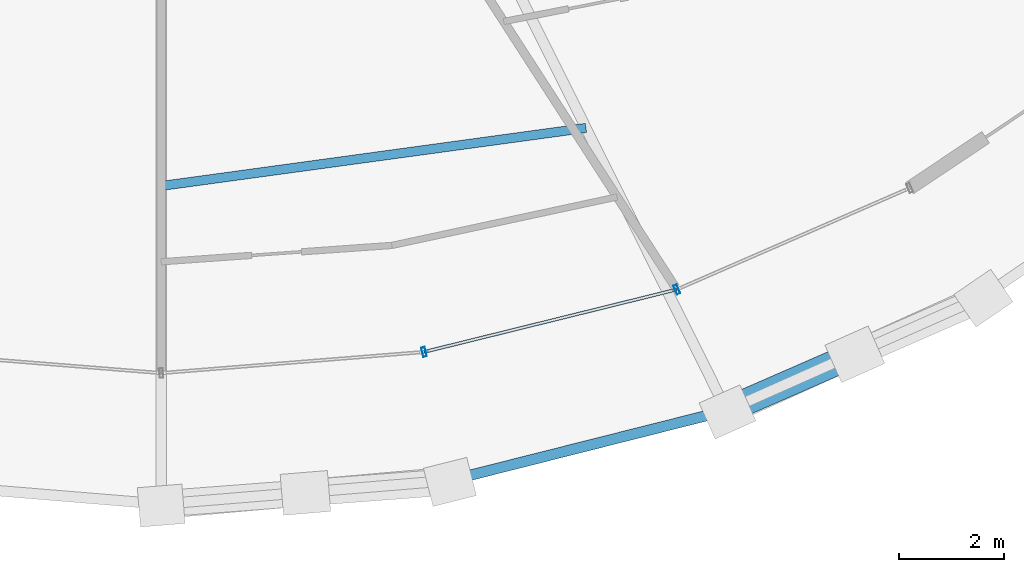
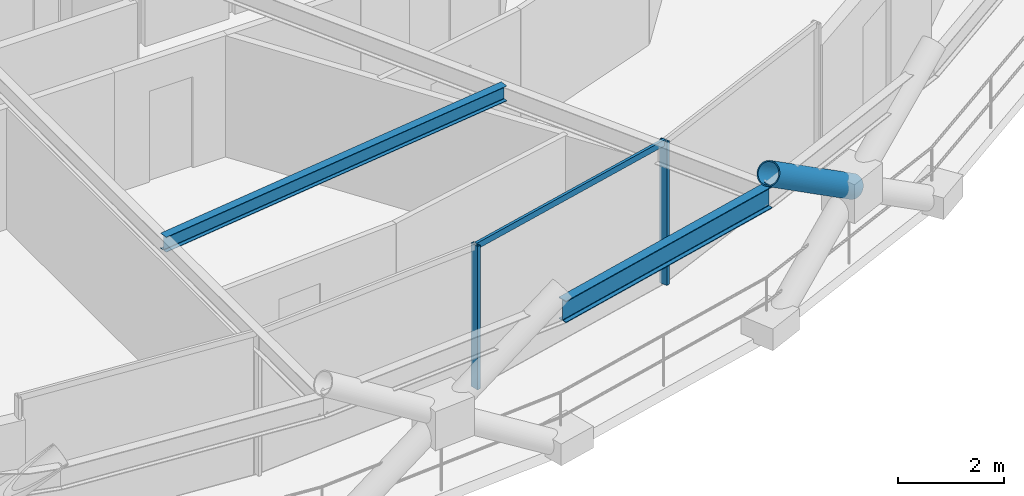
# One storey, part 4 of 19: 4 members, 2 beams, 1 element without a shape of its own.
"""IFC4 building model written with IfcOpenShell, lengths in metres."""

from ifc_helpers import new_model, si_unit, direction, frame, origin, origin_2d, place, context, subcontext, project, spatial, hollow_rectangle, hollow_circle, i_section, extrude, material, layer, layer_set, material_profile, profile_set, type_object, element, aggregate, save


model = new_model("IFC4")

# Units and contexts
model_context = context("Model", 3, precision=1e-05, world=origin(), true_north=direction((0.0, 1.0)))
body_context = subcontext(model_context, "Body", "Model", "MODEL_VIEW")
ifc_project = project(units=[si_unit("LENGTHUNIT", "METRE"), si_unit("AREAUNIT", "SQUARE_METRE"), si_unit("VOLUMEUNIT", "CUBIC_METRE"), si_unit("PLANEANGLEUNIT", "RADIAN"), si_unit("MASSUNIT", "GRAM", prefix="KILO")], contexts=[model_context])

# Site, building, storey
site_placement = place(None, origin())
site = spatial("IfcSite", under=ifc_project, at=site_placement, CompositionType="ELEMENT")
building_placement = place(site_placement, origin())
building = spatial("IfcBuilding", under=site, at=building_placement, Name="Veldorina Hangang Commons", CompositionType="ELEMENT")
storey_placement = place(building_placement, frame((0.0, 0.0, 164.0)))
storey = spatial("IfcBuildingStorey", under=building, at=storey_placement, Name="L42", CompositionType="ELEMENT", Elevation=164.0)

# Beams
ifc_material_1 = material(Name="Steel SM355-TMC", Category="steel")
ifc_material_profile_1 = material_profile(ifc_material_1, i_section(OverallWidth=0.175048828125, OverallDepth=0.35009765625, WebThickness=0.007080078125, FlangeThickness=0.010986328125, FilletRadius=0.012939453125, at=origin_2d()), Name="H-350x175x7x11")
ifc_profile_set_1 = profile_set([ifc_material_profile_1], Name="Steel SM355-TMC")
beam_type_1 = type_object("IfcBeamType", Name="BM-JST350", PredefinedType="JOIST", material=ifc_profile_set_1)
beam_1_placement = place(storey_placement, frame((32.0, 6.6787109375, 3.175048828125), z_axis=(0.99080445503, 0.135301633001, 0.0), x_axis=(-0.135301633001, 0.99080445503, 0.0)))
element("IfcBeam", 1, at=beam_1_placement, inside=storey, type_object=beam_type_1, Name="L42 secondary floor joist 13", PredefinedType="JOIST", context=body_context, shape_type="SweptSolid", body=[
    extrude(i_section(OverallWidth=0.175048828125, OverallDepth=0.35009765625, WebThickness=0.007080078125, FlangeThickness=0.010986328125, FilletRadius=0.012939453125, at=origin_2d()), origin(), (0.0, 0.0, 1.0), 8.15234375),
])
ifc_material_2 = material(Name="Steel SM420-TMC", Category="steel")
ifc_material_profile_2 = material_profile(ifc_material_2, i_section(OverallWidth=0.199951171875, OverallDepth=0.5, WebThickness=0.010009765625, FlangeThickness=0.01611328125, FilletRadius=0.01611328125, at=origin_2d()), Name="H-500x200x10x16")
ifc_profile_set_2 = profile_set([ifc_material_profile_2], Name="Steel SM420-TMC")
beam_type_2 = type_object("IfcBeamType", Name="BM-RB500", PredefinedType="BEAM", material=ifc_profile_set_2)
beam_2_placement = place(storey_placement, frame((37.482421875, 1.077880859375, 3.10009765625), z_axis=(0.969625230059, 0.244595407221, 0.0), x_axis=(-0.244595407221, 0.969625230059, 0.0)))
element("IfcBeam", 2, at=beam_2_placement, inside=storey, type_object=beam_type_2, Name="L42 perimeter hoop ring beam 25", PredefinedType="BEAM", context=body_context, shape_type="SweptSolid", body=[
    extrude(i_section(OverallWidth=0.199951171875, OverallDepth=0.5, WebThickness=0.010009765625, FlangeThickness=0.01611328125, FilletRadius=0.01611328125, at=origin_2d()), origin(), (0.0, 0.0, 1.0), 5.436767578125),
])

# Curtain wall, members
ifc_material_3 = material(Name="Glass Low-E Triple IGU", Category="glass")
ifc_layer = layer(ifc_material_3, 0.179931640625)
ifc_layer_set = layer_set([ifc_layer], Name="Glass Low-E Triple IGU")
curtain_wall_type = type_object("IfcCurtainWallType", Name="CW-SYS-Z2", PredefinedType="NOTDEFINED", material=ifc_layer_set)
curtain_wall_placement = place(storey_placement, origin())
curtain_wall = element("IfcCurtainWall", 3, at=curtain_wall_placement, inside=storey, type_object=curtain_wall_type, Name="L42 unitised curtain wall CW-L42-R1", PredefinedType="NOTDEFINED")
ifc_material_4 = material(Name="Aluminium Anodized AA6063-T6", Category="aluminium")
ifc_material_profile_3 = material_profile(ifc_material_4, hollow_rectangle(XDim=0.070068359375, YDim=0.179931640625, WallThickness=0.00390625, at=origin_2d()), Name="ALU-RHS-180x70x4")
ifc_profile_set_3 = profile_set([ifc_material_profile_3], Name="Aluminium Anodized AA6063-T6")
member_type_1 = type_object("IfcMemberType", Name="CW-MUL-180", PredefinedType="MULLION", material=ifc_profile_set_3)
member_1_placement = place(storey_placement, frame((36.99853515625, 3.521728515625, 0.0), z_axis=(0.0, 0.0, 1.0), x_axis=(0.970779339866, 0.239973901267, 0.0)))
member_1 = element("IfcMember", 4, at=member_1_placement, type_object=member_type_1, Name="CW-L42-R1 vertical mullion 3", PredefinedType="MULLION", context=body_context, shape_type="SweptSolid", body=[
    extrude(hollow_rectangle(XDim=0.070068359375, YDim=0.179931640625, WallThickness=0.00390625, at=origin_2d()), origin(), (0.0, 0.0, 1.0), 3.31005859375),
])
member_2_placement = place(storey_placement, frame((41.80517578125, 4.7099609375, 0.0), z_axis=(0.0, 0.0, 1.0), x_axis=(0.916809351952, 0.399325196016, 0.0)))
member_2 = element("IfcMember", 5, at=member_2_placement, type_object=member_type_1, Name="CW-L42-R1 vertical mullion 4", PredefinedType="MULLION", context=body_context, shape_type="SweptSolid", body=[
    extrude(hollow_rectangle(XDim=0.070068359375, YDim=0.179931640625, WallThickness=0.00390625, at=origin_2d()), origin(), (0.0, 0.0, 1.0), 3.31005859375),
])
ifc_material_profile_4 = material_profile(ifc_material_4, hollow_rectangle(XDim=0.06005859375, YDim=0.139892578125, WallThickness=0.00341796875, at=origin_2d()), Name="ALU-RHS-140x60x3.5")
ifc_profile_set_4 = profile_set([ifc_material_profile_4], Name="Aluminium Anodized AA6063-T6")
member_type_2 = type_object("IfcMemberType", Name="CW-TRN-140", PredefinedType="USERDEFINED", material=ifc_profile_set_4)
member_3_placement = place(storey_placement, frame((36.99853515625, 3.521728515625, 3.27001953125), z_axis=(0.970777246882, 0.239982367969, 0.0), x_axis=(-0.239982367969, 0.970777246882, 0.0)))
member_3 = element("IfcMember", 6, at=member_3_placement, type_object=member_type_2, Name="CW-L42-R1 facet 3 transom 1", ObjectType="TRANSOM", PredefinedType="USERDEFINED", context=body_context, shape_type="SweptSolid", body=[
    extrude(hollow_rectangle(XDim=0.06005859375, YDim=0.139892578125, WallThickness=0.00341796875, at=origin_2d()), origin(), (0.0, 0.0, 1.0), 4.951416015625),
])
aggregate(curtain_wall, [member_1, member_2, member_3])

# Member
ifc_material_profile_5 = material_profile(ifc_material_2, hollow_circle(Radius=0.25, WallThickness=0.02490234375, at=origin_2d()), Name="CHS-500x25")
ifc_profile_set_5 = profile_set([ifc_material_profile_5], Name="Steel SM420-TMC")
member_type_3 = type_object("IfcMemberType", Name="DG-CHS500", PredefinedType="BRACE", material=ifc_profile_set_5)
member_4_placement = place(storey_placement, frame((45.191162109375, 3.477294921875, 1.801513671875), z_axis=(-0.759351807406, -0.331570449931, 0.559862366409), x_axis=(0.400164378532, -0.916443380768, 0.0)))
element("IfcMember", 7, at=member_4_placement, inside=storey, type_object=member_type_3, Name="L42 split perimeter diagrid upper brace 27", PredefinedType="BRACE", context=body_context, shape_type="SweptSolid", body=[
    extrude(hollow_circle(Radius=0.25, WallThickness=0.02490234375, at=origin_2d()), origin(), (0.0, 0.0, 1.0), 3.212646484375),
])

save(model, "model.ifc")
